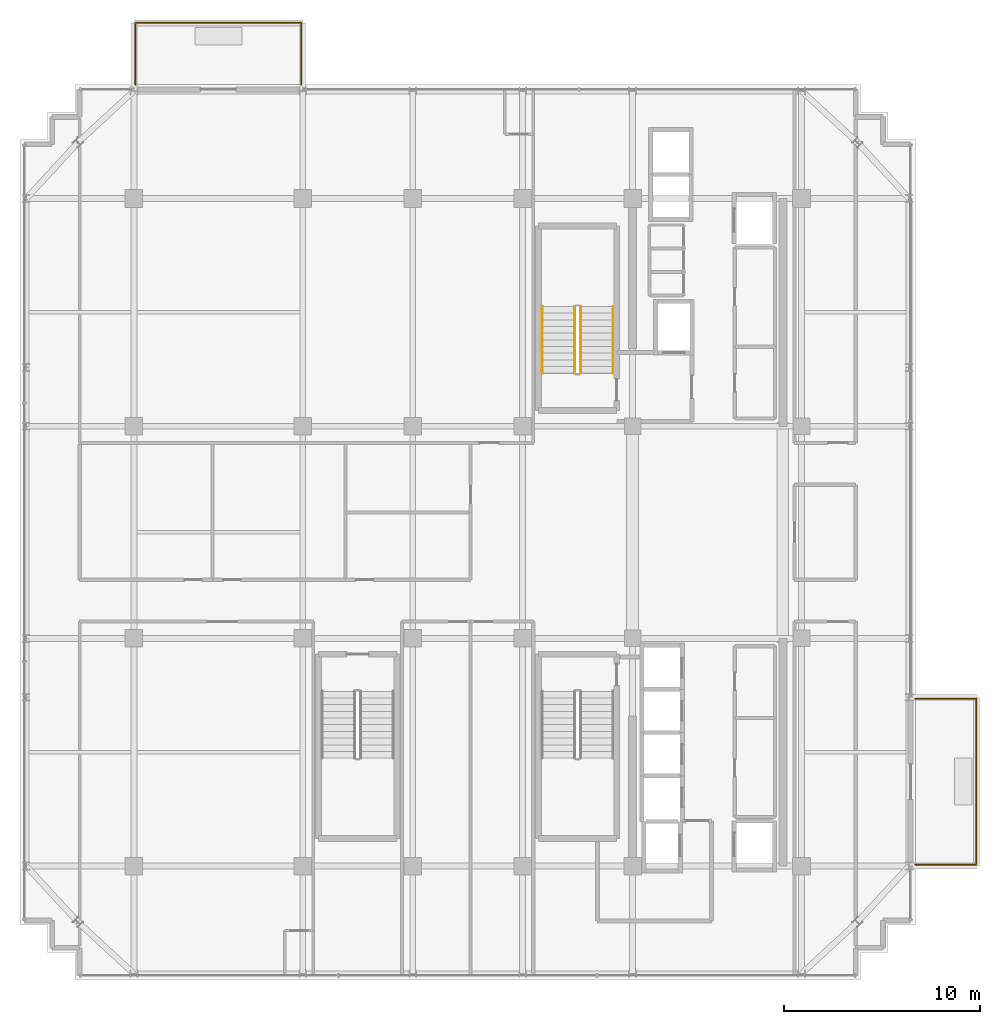
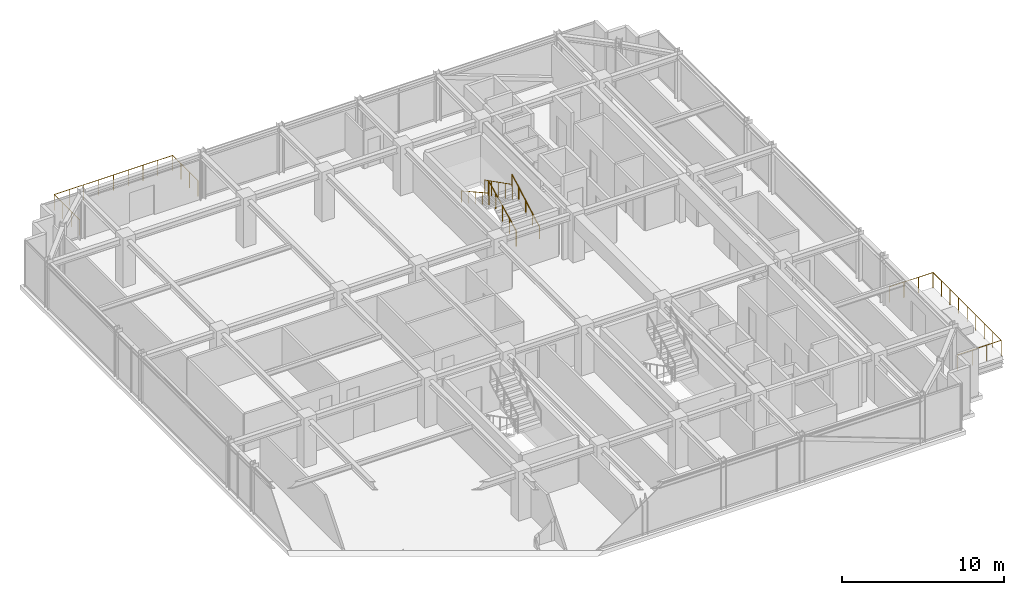
# One storey, part 29 of 31: 6 railings.
"""IFC4 building model written with IfcOpenShell, lengths in metres."""

from ifc_helpers import new_model, si_unit, direction, frame, origin, origin_2d, place, context, subcontext, project, spatial, circle, extrude, material, type_object, element, save


model = new_model("IFC4")

# Units and contexts
model_context = context("Model", 3, precision=1e-05, world=origin(), true_north=direction((0.0, 1.0)))
body_context = subcontext(model_context, "Body", "Model", "MODEL_VIEW")
ifc_project = project(units=[si_unit("LENGTHUNIT", "METRE"), si_unit("AREAUNIT", "SQUARE_METRE"), si_unit("VOLUMEUNIT", "CUBIC_METRE"), si_unit("PLANEANGLEUNIT", "RADIAN"), si_unit("MASSUNIT", "GRAM", prefix="KILO")], contexts=[model_context])

# Site, building, storey
site_placement = place(None, origin())
site = spatial("IfcSite", under=ifc_project, at=site_placement, CompositionType="ELEMENT")
building_placement = place(site_placement, origin())
building = spatial("IfcBuilding", under=site, at=building_placement, Name="Nahalor Promenade Grand Hotel", CompositionType="ELEMENT")
storey_placement = place(building_placement, frame((0.0, 0.0, 327.14990234375)))
storey = spatial("IfcBuildingStorey", under=building, at=storey_placement, Name="L84", CompositionType="ELEMENT", Elevation=327.14990234375)

# Railings
ifc_material_1 = material(Name="Anodised Bronze Aluminium EN AW-6063 T6", Category="aluminium")
railing_type_1 = type_object("IfcRailingType", Name="Bronze Balcony Guardrail 1200 mm", PredefinedType="GUARDRAIL", material=ifc_material_1)
railing_1_placement = place(storey_placement, frame((-16.919921875, 22.800048828125, 0.0)))
element("IfcRailing", 1, at=railing_1_placement, inside=storey, type_object=railing_type_1, Name="L84 Balcony Guardrail 1", PredefinedType="GUARDRAIL", context=body_context, shape_type="SweptSolid", body=[
    extrude(circle(Radius=0.024048, at=origin_2d()), frame((0.0, 0.0, 1.17578125), z_axis=(0.0, 1.0, 0.0), x_axis=(-1.0, 0.0, 0.0)), (0.0, 0.0, 1.0), 3.137939453125),
    extrude(circle(Radius=0.024048, at=origin_2d()), frame((0.001953125, 3.139892578125, 1.17578125), z_axis=(1.0, 0.0, 0.0), x_axis=(0.0, 1.0, 0.0)), (0.0, 0.0, 1.0), 8.43603515625),
    extrude(circle(Radius=0.024048, at=origin_2d()), frame((8.43994140625, 3.137939453125, 1.17578125), z_axis=(0.0, -1.0, 0.0), x_axis=(1.0, 0.0, 0.0)), (0.0, 0.0, 1.0), 3.137939453125),
    extrude(circle(Radius=0.020996, at=origin_2d()), origin(), (0.0, 0.0, 1.0), 1.14990234375),
    extrude(circle(Radius=0.020996, at=origin_2d()), frame((0.0, 1.046630859375, 0.0)), (0.0, 0.0, 1.0), 1.14990234375),
    extrude(circle(Radius=0.020996, at=origin_2d()), frame((0.0, 2.09326171875, 0.0)), (0.0, 0.0, 1.0), 1.14990234375),
    extrude(circle(Radius=0.020996, at=origin_2d()), frame((0.0, 3.139892578125, 0.0)), (0.0, 0.0, 1.0), 1.14990234375),
    extrude(circle(Radius=0.020996, at=origin_2d()), frame((1.054931640625, 3.139892578125, 0.0)), (0.0, 0.0, 1.0), 1.14990234375),
    extrude(circle(Radius=0.020996, at=origin_2d()), frame((2.10986328125, 3.139892578125, 0.0)), (0.0, 0.0, 1.0), 1.14990234375),
    extrude(circle(Radius=0.020996, at=origin_2d()), frame((3.1650390625, 3.139892578125, 0.0)), (0.0, 0.0, 1.0), 1.14990234375),
    extrude(circle(Radius=0.020996, at=origin_2d()), frame((4.219970703125, 3.139892578125, 0.0)), (0.0, 0.0, 1.0), 1.14990234375),
    extrude(circle(Radius=0.020996, at=origin_2d()), frame((5.27490234375, 3.139892578125, 0.0)), (0.0, 0.0, 1.0), 1.14990234375),
    extrude(circle(Radius=0.020996, at=origin_2d()), frame((6.330078125, 3.139892578125, 0.0)), (0.0, 0.0, 1.0), 1.14990234375),
    extrude(circle(Radius=0.020996, at=origin_2d()), frame((7.385009765625, 3.139892578125, 0.0)), (0.0, 0.0, 1.0), 1.14990234375),
    extrude(circle(Radius=0.020996, at=origin_2d()), frame((8.43994140625, 3.139892578125, 0.0)), (0.0, 0.0, 1.0), 1.14990234375),
    extrude(circle(Radius=0.020996, at=origin_2d()), frame((8.43994140625, 2.09326171875, 0.0)), (0.0, 0.0, 1.0), 1.14990234375),
    extrude(circle(Radius=0.020996, at=origin_2d()), frame((8.43994140625, 1.046630859375, 0.0)), (0.0, 0.0, 1.0), 1.14990234375),
    extrude(circle(Radius=0.020996, at=origin_2d()), frame((8.43994140625, 0.0, 0.0)), (0.0, 0.0, 1.0), 1.14990234375),
])
railing_2_placement = place(storey_placement, frame((22.800048828125, -16.919921875, 0.0)))
element("IfcRailing", 2, at=railing_2_placement, inside=storey, type_object=railing_type_1, Name="L84 Balcony Guardrail 2", PredefinedType="GUARDRAIL", context=body_context, shape_type="SweptSolid", body=[
    extrude(circle(Radius=0.024048, at=origin_2d()), frame((0.0, 0.0, 1.17578125), z_axis=(1.0, 0.0, 0.0), x_axis=(0.0, 1.0, 0.0)), (0.0, 0.0, 1.0), 3.10791015625),
    extrude(circle(Radius=0.024048, at=origin_2d()), frame((3.10986328125, 0.001953125, 1.17578125), z_axis=(0.0, 1.0, 0.0), x_axis=(-1.0, 0.0, 0.0)), (0.0, 0.0, 1.0), 8.43603515625),
    extrude(circle(Radius=0.024048, at=origin_2d()), frame((3.10791015625, 8.43994140625, 1.17578125), z_axis=(-1.0, 0.0, 0.0), x_axis=(0.0, -1.0, 0.0)), (0.0, 0.0, 1.0), 3.10791015625),
    extrude(circle(Radius=0.020996, at=origin_2d()), origin(), (0.0, 0.0, 1.0), 1.14990234375),
    extrude(circle(Radius=0.020996, at=origin_2d()), frame((1.03662109375, 0.0, 0.0)), (0.0, 0.0, 1.0), 1.14990234375),
    extrude(circle(Radius=0.020996, at=origin_2d()), frame((2.0732421875, 0.0, 0.0)), (0.0, 0.0, 1.0), 1.14990234375),
    extrude(circle(Radius=0.020996, at=origin_2d()), frame((3.10986328125, 0.0, 0.0)), (0.0, 0.0, 1.0), 1.14990234375),
    extrude(circle(Radius=0.020996, at=origin_2d()), frame((3.10986328125, 1.054931640625, 0.0)), (0.0, 0.0, 1.0), 1.14990234375),
    extrude(circle(Radius=0.020996, at=origin_2d()), frame((3.10986328125, 2.10986328125, 0.0)), (0.0, 0.0, 1.0), 1.14990234375),
    extrude(circle(Radius=0.020996, at=origin_2d()), frame((3.10986328125, 3.1650390625, 0.0)), (0.0, 0.0, 1.0), 1.14990234375),
    extrude(circle(Radius=0.020996, at=origin_2d()), frame((3.10986328125, 4.219970703125, 0.0)), (0.0, 0.0, 1.0), 1.14990234375),
    extrude(circle(Radius=0.020996, at=origin_2d()), frame((3.10986328125, 5.27490234375, 0.0)), (0.0, 0.0, 1.0), 1.14990234375),
    extrude(circle(Radius=0.020996, at=origin_2d()), frame((3.10986328125, 6.330078125, 0.0)), (0.0, 0.0, 1.0), 1.14990234375),
    extrude(circle(Radius=0.020996, at=origin_2d()), frame((3.10986328125, 7.385009765625, 0.0)), (0.0, 0.0, 1.0), 1.14990234375),
    extrude(circle(Radius=0.020996, at=origin_2d()), frame((3.10986328125, 8.43994140625, 0.0)), (0.0, 0.0, 1.0), 1.14990234375),
    extrude(circle(Radius=0.020996, at=origin_2d()), frame((2.0732421875, 8.43994140625, 0.0)), (0.0, 0.0, 1.0), 1.14990234375),
    extrude(circle(Radius=0.020996, at=origin_2d()), frame((1.03662109375, 8.43994140625, 0.0)), (0.0, 0.0, 1.0), 1.14990234375),
    extrude(circle(Radius=0.020996, at=origin_2d()), frame((0.0, 8.43994140625, 0.0)), (0.0, 0.0, 1.0), 1.14990234375),
])
ifc_material_2 = material(Name="Steel S355JR", Category="steel")
railing_type_2 = type_object("IfcRailingType", Name="Steel Stair Guardrail 1150 mm", PredefinedType="GUARDRAIL", material=ifc_material_2)
railing_3_placement = place(storey_placement, frame((5.75, 8.10009765625, 0.1728515625)))
element("IfcRailing", 3, at=railing_3_placement, inside=storey, type_object=railing_type_2, Name="L84 ST1 stair guard 1", PredefinedType="GUARDRAIL", context=body_context, shape_type="SweptSolid", body=[
    extrude(circle(Radius=0.024048, at=origin_2d()), frame((0.0, 0.0, 1.1259765625), z_axis=(0.0, 0.89154070688, 0.452940578858), x_axis=(-1.0, 0.0, 0.0)), (0.0, 0.0, 1.0), 3.8134765625),
    extrude(circle(Radius=0.020996, at=origin_2d()), origin(), (0.0, 0.0, 1.0), 1.099853515625),
    extrude(circle(Radius=0.020996, at=origin_2d()), frame((0.0, 0.85009765625, 0.431884765625)), (0.0, 0.0, 1.0), 1.099853515625),
    extrude(circle(Radius=0.020996, at=origin_2d()), frame((0.0, 1.699951171875, 0.86376953125)), (0.0, 0.0, 1.0), 1.099853515625),
    extrude(circle(Radius=0.020996, at=origin_2d()), frame((0.0, 2.5498046875, 1.29541015625)), (0.0, 0.0, 1.0), 1.099853515625),
    extrude(circle(Radius=0.020996, at=origin_2d()), frame((0.0, 3.39990234375, 1.727294921875)), (0.0, 0.0, 1.0), 1.099853515625),
])
railing_4_placement = place(storey_placement, frame((5.449951171875, 11.5, 2.07275390625)))
element("IfcRailing", 4, at=railing_4_placement, inside=storey, type_object=railing_type_2, Name="L84 ST1 stair guard 3", PredefinedType="GUARDRAIL", context=body_context, shape_type="SweptSolid", body=[
    extrude(circle(Radius=0.024048, at=origin_2d()), frame((0.0, 0.0, 1.1259765625), z_axis=(0.0, -0.89154070688, 0.452940578858), x_axis=(1.0, 0.0, 0.0)), (0.0, 0.0, 1.0), 3.8134765625),
    extrude(circle(Radius=0.020996, at=origin_2d()), origin(), (0.0, 0.0, 1.0), 1.099853515625),
    extrude(circle(Radius=0.020996, at=origin_2d()), frame((0.0, -0.85009765625, 0.431884765625)), (0.0, 0.0, 1.0), 1.099853515625),
    extrude(circle(Radius=0.020996, at=origin_2d()), frame((0.0, -1.699951171875, 0.86376953125)), (0.0, 0.0, 1.0), 1.099853515625),
    extrude(circle(Radius=0.020996, at=origin_2d()), frame((0.0, -2.5498046875, 1.29541015625)), (0.0, 0.0, 1.0), 1.099853515625),
    extrude(circle(Radius=0.020996, at=origin_2d()), frame((0.0, -3.39990234375, 1.727294921875)), (0.0, 0.0, 1.0), 1.099853515625),
])
railing_type_3 = type_object("IfcRailingType", Name="Steel Stair Handrail 900 mm", PredefinedType="HANDRAIL", material=ifc_material_2)
railing_5_placement = place(storey_placement, frame((7.39990234375, 8.10009765625, 0.1728515625)))
element("IfcRailing", 5, at=railing_5_placement, inside=storey, type_object=railing_type_3, Name="L84 ST1 stair handrail 1", PredefinedType="HANDRAIL", context=body_context, shape_type="SweptSolid", body=[
    extrude(circle(Radius=0.024048, at=origin_2d()), frame((0.0, 0.0, 0.8759765625), z_axis=(0.0, 0.872948192752, 0.487812928048), x_axis=(-1.0, 0.0, 0.0)), (0.0, 0.0, 1.0), 3.894775390625),
    extrude(circle(Radius=0.020996, at=origin_2d()), origin(), (0.0, 0.0, 1.0), 0.849853515625),
    extrude(circle(Radius=0.020996, at=origin_2d()), frame((0.0, 0.85009765625, 0.47509765625)), (0.0, 0.0, 1.0), 0.849853515625),
    extrude(circle(Radius=0.020996, at=origin_2d()), frame((0.0, 1.699951171875, 0.949951171875)), (0.0, 0.0, 1.0), 0.849853515625),
    extrude(circle(Radius=0.020996, at=origin_2d()), frame((0.0, 2.5498046875, 1.4248046875)), (0.0, 0.0, 1.0), 0.849853515625),
    extrude(circle(Radius=0.020996, at=origin_2d()), frame((0.0, 3.39990234375, 1.89990234375)), (0.0, 0.0, 1.0), 0.849853515625),
])
railing_6_placement = place(storey_placement, frame((3.800048828125, 11.5, 2.07275390625)))
element("IfcRailing", 6, at=railing_6_placement, inside=storey, type_object=railing_type_3, Name="L84 ST1 stair handrail 2", PredefinedType="HANDRAIL", context=body_context, shape_type="SweptSolid", body=[
    extrude(circle(Radius=0.024048, at=origin_2d()), frame((0.0, 0.0, 0.8759765625), z_axis=(0.0, -0.872921498864, 0.487860694073), x_axis=(1.0, 0.0, 0.0)), (0.0, 0.0, 1.0), 3.894775390625),
    extrude(circle(Radius=0.020996, at=origin_2d()), origin(), (0.0, 0.0, 1.0), 0.849853515625),
    extrude(circle(Radius=0.020996, at=origin_2d()), frame((0.0, -0.85009765625, 0.47509765625)), (0.0, 0.0, 1.0), 0.849853515625),
    extrude(circle(Radius=0.020996, at=origin_2d()), frame((0.0, -1.699951171875, 0.9501953125)), (0.0, 0.0, 1.0), 0.849853515625),
    extrude(circle(Radius=0.020996, at=origin_2d()), frame((0.0, -2.5498046875, 1.425048828125)), (0.0, 0.0, 1.0), 0.849853515625),
    extrude(circle(Radius=0.020996, at=origin_2d()), frame((0.0, -3.39990234375, 1.900146484375)), (0.0, 0.0, 1.0), 0.849853515625),
])

save(model, "model.ifc")
